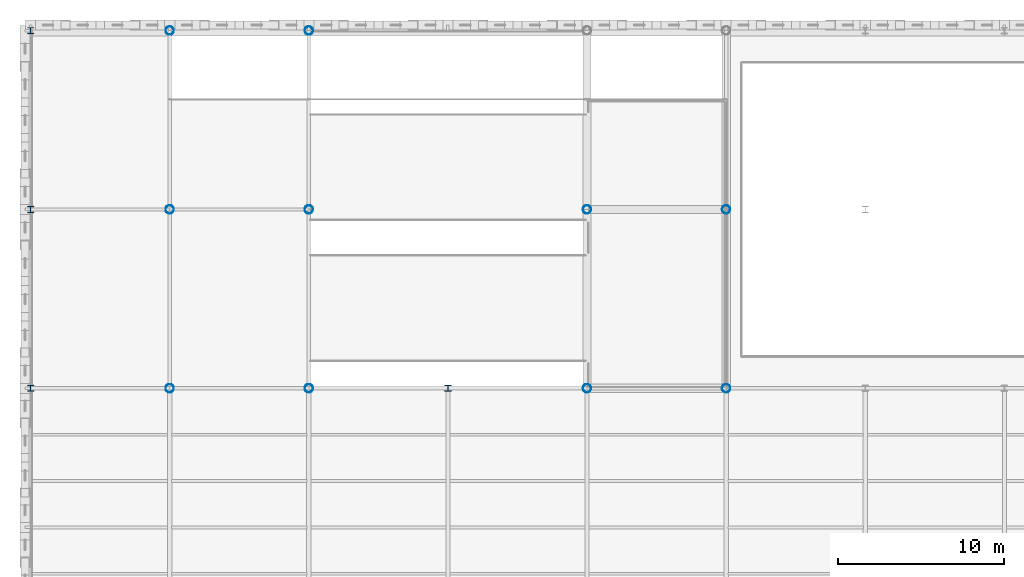
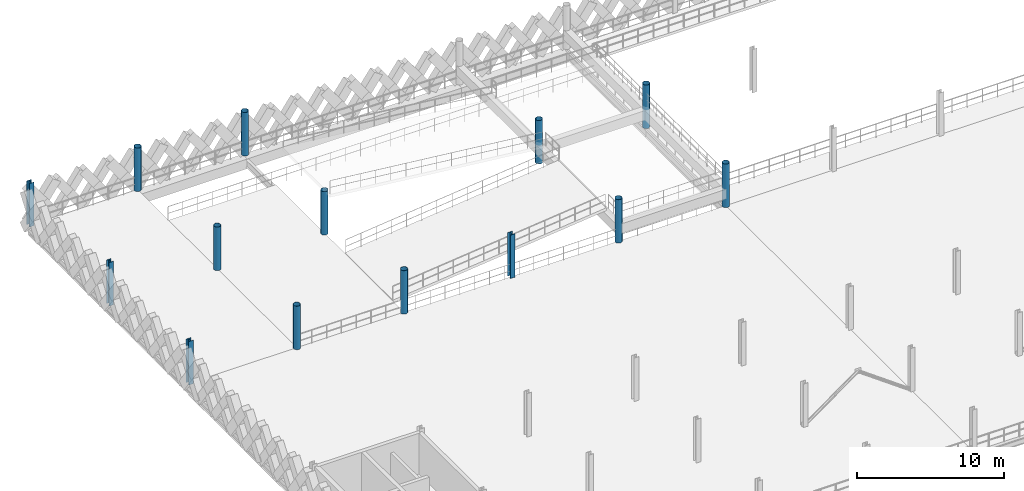
# One storey, part 9 of 62: 14 columns.
"""IFC4 building model written with IfcOpenShell, lengths in metres."""

from ifc_helpers import new_model, si_unit, direction, frame, origin, origin_2d, place, context, subcontext, project, spatial, hollow_circle, i_section, extrude, material, material_profile, profile_set, type_object, element, save


model = new_model("IFC4")

# Units and contexts
model_context = context("Model", 3, precision=1e-05, world=origin(), true_north=direction((0.0, 1.0)))
body_context = subcontext(model_context, "Body", "Model", "MODEL_VIEW")
ifc_project = project(units=[si_unit("LENGTHUNIT", "METRE"), si_unit("AREAUNIT", "SQUARE_METRE"), si_unit("VOLUMEUNIT", "CUBIC_METRE"), si_unit("PLANEANGLEUNIT", "RADIAN"), si_unit("MASSUNIT", "GRAM", prefix="KILO"), si_unit("THERMODYNAMICTEMPERATUREUNIT", "KELVIN"), si_unit("POWERUNIT", "WATT")], contexts=[model_context])

# Site, building, storey
site_placement = place(None, origin())
site = spatial("IfcSite", under=ifc_project, at=site_placement, CompositionType="ELEMENT")
building_placement = place(site_placement, origin())
building = spatial("IfcBuilding", under=site, at=building_placement, Name="Tembeka Court Mobility Hub", CompositionType="ELEMENT")
storey_placement = place(building_placement, frame((0.0, 0.0, 16.199951171875)))
storey = spatial("IfcBuildingStorey", under=building, at=storey_placement, Name="L04", CompositionType="ELEMENT", Elevation=16.199951171875)

# Columns
ifc_material = material(Name="Steel S355", Category="steel")
ifc_material_profile_1 = material_profile(ifc_material, i_section(OverallWidth=0.373046875, OverallDepth=0.367919921875, WebThickness=0.014404296875, FlangeThickness=0.023681640625, FilletRadius=0.01513671875, at=origin_2d()), Name="UKC 356x368x177")
ifc_profile_set_1 = profile_set([ifc_material_profile_1], Name="Steel S355")
column_type_1 = type_object("IfcColumnType", Name="COL-C03", PredefinedType="COLUMN", material=ifc_profile_set_1)
for number, where, z_axis, x_axis, name in (
    (1, (0.0, 97.199951171875, 0.0), (0.0, 0.0, 1.0), (1.0, 0.0, 0.0), "Column C03 (L04-010)"),
    (2, (0.0, 108.0, 0.0), (0.0, 0.0, 1.0), (1.0, 0.0, 0.0), "Column C03 (L04-011)"),
    (3, (0.0, 118.800048828125, 0.0), (0.0, 0.0, 1.0), (1.0, 0.0, 0.0), "Column C03 (L04-012)"),
    (4, (25.199951171875, 97.199951171875, 0.0), (0.0, 0.0, 1.0), (1.0, 0.0, 0.0), "Column C03 (L04-045)"),
):
    element("IfcColumn", number, at=place(storey_placement, frame(where, z_axis=z_axis, x_axis=x_axis)), inside=storey, type_object=column_type_1, Name=name, PredefinedType="COLUMN", context=body_context, shape_type="SweptSolid", body=[
        extrude(i_section(OverallWidth=0.373046875, OverallDepth=0.367919921875, WebThickness=0.014404296875, FlangeThickness=0.023681640625, FilletRadius=0.01513671875, at=origin_2d()), origin(), (0.0, 0.0, 1.0), 3.60009765625),
    ])
ifc_material_profile_2 = material_profile(ifc_material, hollow_circle(Radius=0.25390625, WallThickness=0.01611328125, at=origin_2d()), Name="CHS 508x16")
ifc_profile_set_2 = profile_set([ifc_material_profile_2], Name="Steel S355")
column_type_2 = type_object("IfcColumnType", Name="COL-C08", PredefinedType="COLUMN", material=ifc_profile_set_2)
for number, where, z_axis, x_axis, name in (
    (5, (8.39990234375, 97.199951171875, 0.0), (0.0, 0.0, 1.0), (1.0, 0.0, 0.0), "Column C08 (L04-022)"),
    (6, (8.39990234375, 108.0, 0.0), (0.0, 0.0, 1.0), (1.0, 0.0, 0.0), "Column C08 (L04-023)"),
    (7, (8.39990234375, 118.800048828125, 0.0), (0.0, 0.0, 1.0), (1.0, 0.0, 0.0), "Column C08 (L04-024)"),
    (8, (16.800048828125, 97.199951171875, 0.0), (0.0, 0.0, 1.0), (1.0, 0.0, 0.0), "Column C08 (L04-034)"),
    (9, (16.800048828125, 108.0, 0.0), (0.0, 0.0, 1.0), (1.0, 0.0, 0.0), "Column C08 (L04-035)"),
    (10, (16.800048828125, 118.800048828125, 0.0), (0.0, 0.0, 1.0), (1.0, 0.0, 0.0), "Column C08 (L04-036)"),
    (11, (33.60009765625, 97.199951171875, 0.0), (0.0, 0.0, 1.0), (1.0, 0.0, 0.0), "Column C08 (L04-056)"),
    (12, (33.60009765625, 108.0, 0.0), (0.0, 0.0, 1.0), (1.0, 0.0, 0.0), "Column C08 (L04-057)"),
    (13, (42.0, 97.199951171875, 0.0), (0.0, 0.0, 1.0), (1.0, 0.0, 0.0), "Column C08 (L04-068)"),
    (14, (42.0, 108.0, 0.0), (0.0, 0.0, 1.0), (1.0, 0.0, 0.0), "Column C08 (L04-069)"),
):
    element("IfcColumn", number, at=place(storey_placement, frame(where, z_axis=z_axis, x_axis=x_axis)), inside=storey, type_object=column_type_2, Name=name, PredefinedType="COLUMN", context=body_context, shape_type="SweptSolid", body=[
        extrude(hollow_circle(Radius=0.25390625, WallThickness=0.01611328125, at=origin_2d()), origin(), (0.0, 0.0, 1.0), 3.60009765625),
    ])

save(model, "model.ifc")
